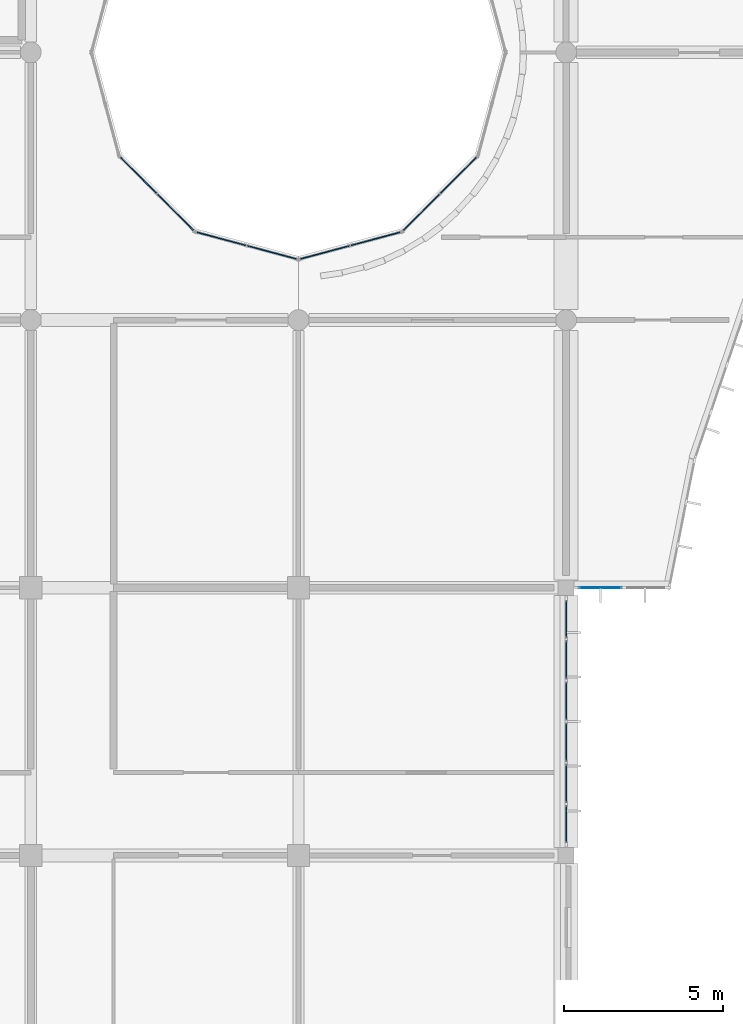
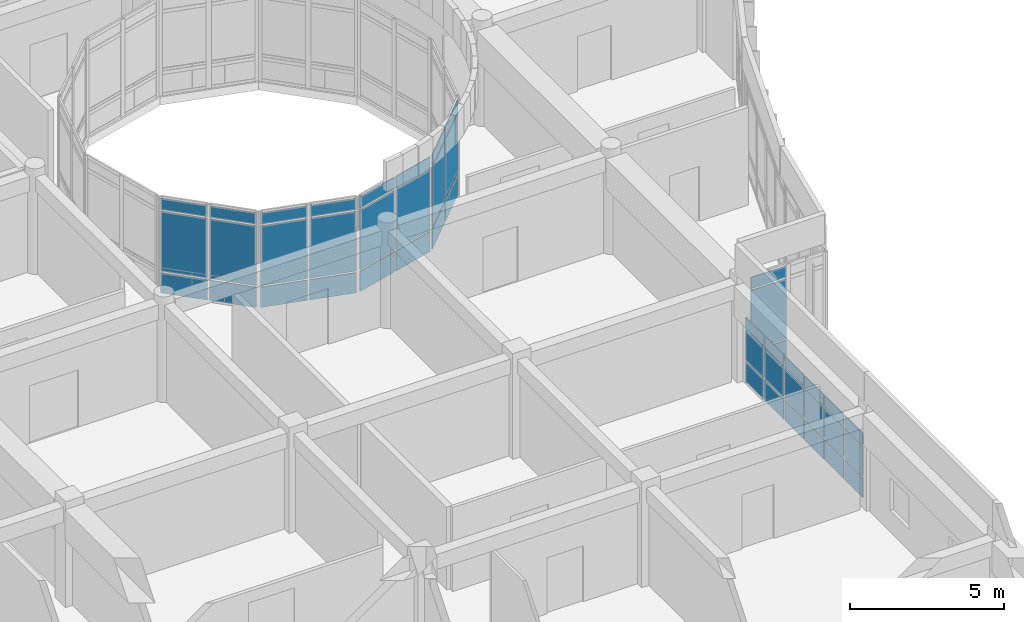
# One storey, part 60 of 119: 45 plates, 6 elements without a shape of their own.
"""IFC4 building model written with IfcOpenShell, lengths in metres."""

from ifc_helpers import new_model, si_unit, direction, frame, origin, origin_2d, place, context, subcontext, project, spatial, rectangle, extrude, material, layer, layer_set, type_object, element, aggregate, save


model = new_model("IFC4")

# Units and contexts
model_context = context("Model", 3, precision=1e-05, world=origin(), true_north=direction((0.0, 1.0)))
body_context = subcontext(model_context, "Body", "Model", "MODEL_VIEW")
ifc_project = project(units=[si_unit("LENGTHUNIT", "METRE"), si_unit("AREAUNIT", "SQUARE_METRE"), si_unit("VOLUMEUNIT", "CUBIC_METRE"), si_unit("PLANEANGLEUNIT", "RADIAN"), si_unit("MASSUNIT", "GRAM", prefix="KILO")], contexts=[model_context])

# Site, building, storey
site_placement = place(None, origin())
site = spatial("IfcSite", under=ifc_project, at=site_placement, CompositionType="ELEMENT")
building_placement = place(site_placement, origin())
building = spatial("IfcBuilding", under=site, at=building_placement, Name="Bramfleet General Hospital", CompositionType="ELEMENT")
storey_placement = place(building_placement, frame((0.0, 0.0, 14.39990234375)))
storey = spatial("IfcBuildingStorey", under=building, at=storey_placement, Name="L03", CompositionType="ELEMENT", Elevation=14.39990234375)

# Curtain wall, plates
ifc_material_1 = material(Name="Anodised aluminium and low-E triple glazing", Category="aluminium")
ifc_layer_1 = layer(ifc_material_1, 0.179931640625, Name="CWT-CW-17")
ifc_layer_set_1 = layer_set([ifc_layer_1], Name="Anodised aluminium and low-E triple glazing")
curtain_wall_type_1 = type_object("IfcCurtainWallType", Name="CWT-CW-17", PredefinedType="USERDEFINED", material=ifc_layer_set_1)
curtain_wall_1_placement = place(storey_placement, origin())
curtain_wall_1 = element("IfcCurtainWall", 1, at=curtain_wall_1_placement, inside=storey, type_object=curtain_wall_type_1, Name="L03 Curtain Wall 161", ObjectType="Stick curtain wall", PredefinedType="USERDEFINED")
ifc_material_2 = material(Name="Low-E laminated safety glass", Category="glass")
ifc_layer_2 = layer(ifc_material_2, 0.028076171875, Name="CWP-GLZ-1")
ifc_layer_set_2 = layer_set([ifc_layer_2], Name="Low-E laminated safety glass")
plate_type_1 = type_object("IfcPlateType", Name="CWP-GLZ-1", PredefinedType="CURTAIN_PANEL", material=ifc_layer_set_2)
plate_1_placement = place(storey_placement, frame((127.070068359375, 50.39990234375, 0.06494140625), z_axis=(0.0, 0.0, 1.0), x_axis=(-1.0, 0.0, 0.0)))
plate_1 = element("IfcPlate", 2, at=plate_1_placement, type_object=plate_type_1, Name="CW-17 panel 2.1", PredefinedType="CURTAIN_PANEL", context=body_context, shape_type="SweptSolid", body=[
    extrude(rectangle(XDim=1.35009765625, YDim=0.028076171875, at=origin_2d()), origin(), (0.0, 0.0, 1.0), 0.802490234375),
])
plate_2_placement = place(storey_placement, frame((127.070068359375, 50.39990234375, 0.9326171875), z_axis=(0.0, 0.0, 1.0), x_axis=(-1.0, 0.0, 0.0)))
plate_2 = element("IfcPlate", 3, at=plate_2_placement, type_object=plate_type_1, Name="CW-17 panel 2.2", PredefinedType="CURTAIN_PANEL", context=body_context, shape_type="SweptSolid", body=[
    extrude(rectangle(XDim=1.35009765625, YDim=0.028076171875, at=origin_2d()), origin(), (0.0, 0.0, 1.0), 2.375),
])
plate_3_placement = place(storey_placement, frame((127.070068359375, 50.39990234375, 3.37255859375), z_axis=(0.0, 0.0, 1.0), x_axis=(-1.0, 0.0, 0.0)))
plate_3 = element("IfcPlate", 4, at=plate_3_placement, type_object=plate_type_1, Name="CW-17 panel 2.3", PredefinedType="CURTAIN_PANEL", context=body_context, shape_type="SweptSolid", body=[
    extrude(rectangle(XDim=1.35009765625, YDim=0.028076171875, at=origin_2d()), origin(), (0.0, 0.0, 1.0), 0.452392578125),
])
aggregate(curtain_wall_1, [plate_1, plate_2, plate_3])

ifc_layer_3 = layer(ifc_material_1, 0.179931640625, Name="CWT-CW-18")
ifc_layer_set_3 = layer_set([ifc_layer_3], Name="Anodised aluminium and low-E triple glazing")
curtain_wall_type_2 = type_object("IfcCurtainWallType", Name="CWT-CW-18", PredefinedType="USERDEFINED", material=ifc_layer_set_3)
curtain_wall_2_placement = place(storey_placement, origin())
curtain_wall_2 = element("IfcCurtainWall", 5, at=curtain_wall_2_placement, inside=storey, type_object=curtain_wall_type_2, Name="L03 Curtain Wall 162", ObjectType="Stick curtain wall", PredefinedType="USERDEFINED")
ifc_layer_4 = layer(ifc_material_2, 0.031982421875, Name="CWP-GLZ-2")
ifc_layer_set_4 = layer_set([ifc_layer_4], Name="Low-E laminated safety glass")
plate_type_2 = type_object("IfcPlateType", Name="CWP-GLZ-2", PredefinedType="CURTAIN_PANEL", material=ifc_layer_set_4)
plate_4_placement = place(storey_placement, frame((126.0, 49.41162109375, 0.06494140625), z_axis=(0.0, 0.0, 1.0), x_axis=(0.0, -1.0, 0.0)))
plate_4 = element("IfcPlate", 6, at=plate_4_placement, type_object=plate_type_2, Name="CW-18 panel 1.1", PredefinedType="CURTAIN_PANEL", context=body_context, shape_type="SweptSolid", body=[
    extrude(rectangle(XDim=1.186767578125, YDim=0.031982421875, at=origin_2d()), origin(), (0.0, 0.0, 1.0), 0.802490234375),
])
plate_5_placement = place(storey_placement, frame((126.0, 49.41162109375, 0.9326171875), z_axis=(0.0, 0.0, 1.0), x_axis=(0.0, -1.0, 0.0)))
plate_5 = element("IfcPlate", 7, at=plate_5_placement, type_object=plate_type_2, Name="CW-18 panel 1.2", PredefinedType="CURTAIN_PANEL", context=body_context, shape_type="SweptSolid", body=[
    extrude(rectangle(XDim=1.186767578125, YDim=0.031982421875, at=origin_2d()), origin(), (0.0, 0.0, 1.0), 1.175048828125),
])
plate_6_placement = place(storey_placement, frame((126.0, 49.41162109375, 2.1728515625), z_axis=(0.0, 0.0, 1.0), x_axis=(0.0, -1.0, 0.0)))
plate_6 = element("IfcPlate", 8, at=plate_6_placement, type_object=plate_type_2, Name="CW-18 panel 1.3", PredefinedType="CURTAIN_PANEL", context=body_context, shape_type="SweptSolid", body=[
    extrude(rectangle(XDim=1.186767578125, YDim=0.031982421875, at=origin_2d()), origin(), (0.0, 0.0, 1.0), 0.452392578125),
])
plate_7_placement = place(storey_placement, frame((126.0, 48.137451171875, 0.06494140625), z_axis=(0.0, 0.0, 1.0), x_axis=(0.0, -1.0, 0.0)))
plate_7 = element("IfcPlate", 9, at=plate_7_placement, type_object=plate_type_2, Name="CW-18 panel 2.1", PredefinedType="CURTAIN_PANEL", context=body_context, shape_type="SweptSolid", body=[
    extrude(rectangle(XDim=1.2216796875, YDim=0.031982421875, at=origin_2d()), origin(), (0.0, 0.0, 1.0), 0.802490234375),
])
plate_8_placement = place(storey_placement, frame((126.0, 48.137451171875, 0.9326171875), z_axis=(0.0, 0.0, 1.0), x_axis=(0.0, -1.0, 0.0)))
plate_8 = element("IfcPlate", 10, at=plate_8_placement, type_object=plate_type_2, Name="CW-18 panel 2.2", PredefinedType="CURTAIN_PANEL", context=body_context, shape_type="SweptSolid", body=[
    extrude(rectangle(XDim=1.2216796875, YDim=0.031982421875, at=origin_2d()), origin(), (0.0, 0.0, 1.0), 1.175048828125),
])
plate_9_placement = place(storey_placement, frame((126.0, 48.137451171875, 2.1728515625), z_axis=(0.0, 0.0, 1.0), x_axis=(0.0, -1.0, 0.0)))
plate_9 = element("IfcPlate", 11, at=plate_9_placement, type_object=plate_type_2, Name="CW-18 panel 2.3", PredefinedType="CURTAIN_PANEL", context=body_context, shape_type="SweptSolid", body=[
    extrude(rectangle(XDim=1.2216796875, YDim=0.031982421875, at=origin_2d()), origin(), (0.0, 0.0, 1.0), 0.452392578125),
])
plate_10_placement = place(storey_placement, frame((126.0, 46.845947265625, 0.06494140625), z_axis=(0.0, 0.0, 1.0), x_axis=(0.0, -1.0, 0.0)))
plate_10 = element("IfcPlate", 12, at=plate_10_placement, type_object=plate_type_2, Name="CW-18 panel 3.1", PredefinedType="CURTAIN_PANEL", context=body_context, shape_type="SweptSolid", body=[
    extrude(rectangle(XDim=1.2216796875, YDim=0.031982421875, at=origin_2d()), origin(), (0.0, 0.0, 1.0), 0.802490234375),
])
plate_11_placement = place(storey_placement, frame((126.0, 46.845947265625, 0.9326171875), z_axis=(0.0, 0.0, 1.0), x_axis=(0.0, -1.0, 0.0)))
plate_11 = element("IfcPlate", 13, at=plate_11_placement, type_object=plate_type_2, Name="CW-18 panel 3.2", PredefinedType="CURTAIN_PANEL", context=body_context, shape_type="SweptSolid", body=[
    extrude(rectangle(XDim=1.2216796875, YDim=0.031982421875, at=origin_2d()), origin(), (0.0, 0.0, 1.0), 1.175048828125),
])
plate_12_placement = place(storey_placement, frame((126.0, 46.845947265625, 2.1728515625), z_axis=(0.0, 0.0, 1.0), x_axis=(0.0, -1.0, 0.0)))
plate_12 = element("IfcPlate", 14, at=plate_12_placement, type_object=plate_type_2, Name="CW-18 panel 3.3", PredefinedType="CURTAIN_PANEL", context=body_context, shape_type="SweptSolid", body=[
    extrude(rectangle(XDim=1.2216796875, YDim=0.031982421875, at=origin_2d()), origin(), (0.0, 0.0, 1.0), 0.452392578125),
])
plate_13_placement = place(storey_placement, frame((126.0, 45.55419921875, 0.06494140625), z_axis=(0.0, 0.0, 1.0), x_axis=(0.0, -1.0, 0.0)))
plate_13 = element("IfcPlate", 15, at=plate_13_placement, type_object=plate_type_2, Name="CW-18 panel 4.1", PredefinedType="CURTAIN_PANEL", context=body_context, shape_type="SweptSolid", body=[
    extrude(rectangle(XDim=1.2216796875, YDim=0.031982421875, at=origin_2d()), origin(), (0.0, 0.0, 1.0), 0.802490234375),
])
plate_14_placement = place(storey_placement, frame((126.0, 45.55419921875, 0.9326171875), z_axis=(0.0, 0.0, 1.0), x_axis=(0.0, -1.0, 0.0)))
plate_14 = element("IfcPlate", 16, at=plate_14_placement, type_object=plate_type_2, Name="CW-18 panel 4.2", PredefinedType="CURTAIN_PANEL", context=body_context, shape_type="SweptSolid", body=[
    extrude(rectangle(XDim=1.2216796875, YDim=0.031982421875, at=origin_2d()), origin(), (0.0, 0.0, 1.0), 1.175048828125),
])
plate_15_placement = place(storey_placement, frame((126.0, 45.55419921875, 2.1728515625), z_axis=(0.0, 0.0, 1.0), x_axis=(0.0, -1.0, 0.0)))
plate_15 = element("IfcPlate", 17, at=plate_15_placement, type_object=plate_type_2, Name="CW-18 panel 4.3", PredefinedType="CURTAIN_PANEL", context=body_context, shape_type="SweptSolid", body=[
    extrude(rectangle(XDim=1.2216796875, YDim=0.031982421875, at=origin_2d()), origin(), (0.0, 0.0, 1.0), 0.452392578125),
])
plate_16_placement = place(storey_placement, frame((126.0, 44.262451171875, 0.06494140625), z_axis=(0.0, 0.0, 1.0), x_axis=(0.0, -1.0, 0.0)))
plate_16 = element("IfcPlate", 18, at=plate_16_placement, type_object=plate_type_2, Name="CW-18 panel 5.1", PredefinedType="CURTAIN_PANEL", context=body_context, shape_type="SweptSolid", body=[
    extrude(rectangle(XDim=1.2216796875, YDim=0.031982421875, at=origin_2d()), origin(), (0.0, 0.0, 1.0), 0.802490234375),
])
plate_17_placement = place(storey_placement, frame((126.0, 44.262451171875, 0.9326171875), z_axis=(0.0, 0.0, 1.0), x_axis=(0.0, -1.0, 0.0)))
plate_17 = element("IfcPlate", 19, at=plate_17_placement, type_object=plate_type_2, Name="CW-18 panel 5.2", PredefinedType="CURTAIN_PANEL", context=body_context, shape_type="SweptSolid", body=[
    extrude(rectangle(XDim=1.2216796875, YDim=0.031982421875, at=origin_2d()), origin(), (0.0, 0.0, 1.0), 1.175048828125),
])
plate_18_placement = place(storey_placement, frame((126.0, 44.262451171875, 2.1728515625), z_axis=(0.0, 0.0, 1.0), x_axis=(0.0, -1.0, 0.0)))
plate_18 = element("IfcPlate", 20, at=plate_18_placement, type_object=plate_type_2, Name="CW-18 panel 5.3", PredefinedType="CURTAIN_PANEL", context=body_context, shape_type="SweptSolid", body=[
    extrude(rectangle(XDim=1.2216796875, YDim=0.031982421875, at=origin_2d()), origin(), (0.0, 0.0, 1.0), 0.452392578125),
])
plate_19_placement = place(storey_placement, frame((126.0, 42.98828125, 0.06494140625), z_axis=(0.0, 0.0, 1.0), x_axis=(0.0, -1.0, 0.0)))
plate_19 = element("IfcPlate", 21, at=plate_19_placement, type_object=plate_type_2, Name="CW-18 panel 6.1", PredefinedType="CURTAIN_PANEL", context=body_context, shape_type="SweptSolid", body=[
    extrude(rectangle(XDim=1.186767578125, YDim=0.031982421875, at=origin_2d()), origin(), (0.0, 0.0, 1.0), 0.802490234375),
])
plate_20_placement = place(storey_placement, frame((126.0, 42.98828125, 0.9326171875), z_axis=(0.0, 0.0, 1.0), x_axis=(0.0, -1.0, 0.0)))
plate_20 = element("IfcPlate", 22, at=plate_20_placement, type_object=plate_type_2, Name="CW-18 panel 6.2", PredefinedType="CURTAIN_PANEL", context=body_context, shape_type="SweptSolid", body=[
    extrude(rectangle(XDim=1.186767578125, YDim=0.031982421875, at=origin_2d()), origin(), (0.0, 0.0, 1.0), 1.175048828125),
])
plate_21_placement = place(storey_placement, frame((126.0, 42.98828125, 2.1728515625), z_axis=(0.0, 0.0, 1.0), x_axis=(0.0, -1.0, 0.0)))
plate_21 = element("IfcPlate", 23, at=plate_21_placement, type_object=plate_type_2, Name="CW-18 panel 6.3", PredefinedType="CURTAIN_PANEL", context=body_context, shape_type="SweptSolid", body=[
    extrude(rectangle(XDim=1.186767578125, YDim=0.031982421875, at=origin_2d()), origin(), (0.0, 0.0, 1.0), 0.452392578125),
])
aggregate(curtain_wall_2, [plate_4, plate_5, plate_6, plate_7, plate_8, plate_9, plate_10, plate_11, plate_12, plate_13, plate_14, plate_15, plate_16, plate_17, plate_18, plate_19, plate_20, plate_21])

curtain_wall_3_placement = place(storey_placement, origin())
curtain_wall_3 = element("IfcCurtainWall", 24, at=curtain_wall_3_placement, inside=storey, type_object=curtain_wall_type_2, Name="L03 East Laboratory Light Court Curtain Wall 2.1", ObjectType="Stick curtain wall", PredefinedType="USERDEFINED")
plate_22_placement = place(storey_placement, frame((112.578125, 63.3427734375, 0.06494140625), z_axis=(0.0, 0.0, 1.0), x_axis=(0.707106781187, -0.707106781187, 0.0)))
plate_22 = element("IfcPlate", 25, at=plate_22_placement, type_object=plate_type_2, Name="CW-18 panel 1.1", PredefinedType="CURTAIN_PANEL", context=body_context, shape_type="SweptSolid", body=[
    extrude(rectangle(XDim=1.5771484375, YDim=0.031982421875, at=origin_2d()), origin(), (0.0, 0.0, 1.0), 0.802490234375),
])
plate_23_placement = place(storey_placement, frame((112.578125, 63.3427734375, 0.9326171875), z_axis=(0.0, 0.0, 1.0), x_axis=(0.707106781187, -0.707106781187, 0.0)))
plate_23 = element("IfcPlate", 26, at=plate_23_placement, type_object=plate_type_2, Name="CW-18 panel 1.2", PredefinedType="CURTAIN_PANEL", context=body_context, shape_type="SweptSolid", body=[
    extrude(rectangle(XDim=1.5771484375, YDim=0.031982421875, at=origin_2d()), origin(), (0.0, 0.0, 1.0), 2.375),
])
plate_24_placement = place(storey_placement, frame((112.578125, 63.3427734375, 3.37255859375), z_axis=(0.0, 0.0, 1.0), x_axis=(0.707106781187, -0.707106781187, 0.0)))
plate_24 = element("IfcPlate", 27, at=plate_24_placement, type_object=plate_type_2, Name="CW-18 panel 1.3", PredefinedType="CURTAIN_PANEL", context=body_context, shape_type="SweptSolid", body=[
    extrude(rectangle(XDim=1.5771484375, YDim=0.031982421875, at=origin_2d()), origin(), (0.0, 0.0, 1.0), 0.452392578125),
])
plate_25_placement = place(storey_placement, frame((113.742919921875, 62.17822265625, 0.06494140625), z_axis=(0.0, 0.0, 1.0), x_axis=(0.707106781187, -0.707106781187, 0.0)))
plate_25 = element("IfcPlate", 28, at=plate_25_placement, type_object=plate_type_2, Name="CW-18 panel 2.1", PredefinedType="CURTAIN_PANEL", context=body_context, shape_type="SweptSolid", body=[
    extrude(rectangle(XDim=1.5771484375, YDim=0.031982421875, at=origin_2d()), origin(), (0.0, 0.0, 1.0), 0.802490234375),
])
plate_26_placement = place(storey_placement, frame((113.742919921875, 62.17822265625, 0.9326171875), z_axis=(0.0, 0.0, 1.0), x_axis=(0.707106781187, -0.707106781187, 0.0)))
plate_26 = element("IfcPlate", 29, at=plate_26_placement, type_object=plate_type_2, Name="CW-18 panel 2.2", PredefinedType="CURTAIN_PANEL", context=body_context, shape_type="SweptSolid", body=[
    extrude(rectangle(XDim=1.5771484375, YDim=0.031982421875, at=origin_2d()), origin(), (0.0, 0.0, 1.0), 2.375),
])
plate_27_placement = place(storey_placement, frame((113.742919921875, 62.17822265625, 3.37255859375), z_axis=(0.0, 0.0, 1.0), x_axis=(0.707106781187, -0.707106781187, 0.0)))
plate_27 = element("IfcPlate", 30, at=plate_27_placement, type_object=plate_type_2, Name="CW-18 panel 2.3", PredefinedType="CURTAIN_PANEL", context=body_context, shape_type="SweptSolid", body=[
    extrude(rectangle(XDim=1.5771484375, YDim=0.031982421875, at=origin_2d()), origin(), (0.0, 0.0, 1.0), 0.452392578125),
])
aggregate(curtain_wall_3, [plate_22, plate_23, plate_24, plate_25, plate_26, plate_27])

ifc_layer_5 = layer(ifc_material_1, 0.179931640625, Name="CWT-CW-11")
ifc_layer_set_5 = layer_set([ifc_layer_5], Name="Anodised aluminium and low-E triple glazing")
curtain_wall_type_3 = type_object("IfcCurtainWallType", Name="CWT-CW-11", PredefinedType="USERDEFINED", material=ifc_layer_set_5)
curtain_wall_4_placement = place(storey_placement, origin())
curtain_wall_4 = element("IfcCurtainWall", 31, at=curtain_wall_4_placement, inside=storey, type_object=curtain_wall_type_3, Name="L03 East Laboratory Light Court Curtain Wall 3.1", ObjectType="Stick curtain wall", PredefinedType="USERDEFINED")
plate_28_placement = place(storey_placement, frame((115.179443359375, 61.3486328125, 0.06494140625), z_axis=(0.0, 0.0, 1.0), x_axis=(0.965913556273, -0.258864833085, 0.0)))
plate_28 = element("IfcPlate", 32, at=plate_28_placement, type_object=plate_type_2, Name="CW-11 panel 1.1", PredefinedType="CURTAIN_PANEL", context=body_context, shape_type="SweptSolid", body=[
    extrude(rectangle(XDim=1.577392578125, YDim=0.031982421875, at=origin_2d()), origin(), (0.0, 0.0, 1.0), 0.802490234375),
])
plate_29_placement = place(storey_placement, frame((115.179443359375, 61.3486328125, 0.9326171875), z_axis=(0.0, 0.0, 1.0), x_axis=(0.965913556273, -0.258864833085, 0.0)))
plate_29 = element("IfcPlate", 33, at=plate_29_placement, type_object=plate_type_2, Name="CW-11 panel 1.2", PredefinedType="CURTAIN_PANEL", context=body_context, shape_type="SweptSolid", body=[
    extrude(rectangle(XDim=1.577392578125, YDim=0.031982421875, at=origin_2d()), origin(), (0.0, 0.0, 1.0), 2.375),
])
plate_30_placement = place(storey_placement, frame((115.179443359375, 61.3486328125, 3.37255859375), z_axis=(0.0, 0.0, 1.0), x_axis=(0.965913556273, -0.258864833085, 0.0)))
plate_30 = element("IfcPlate", 34, at=plate_30_placement, type_object=plate_type_2, Name="CW-11 panel 1.3", PredefinedType="CURTAIN_PANEL", context=body_context, shape_type="SweptSolid", body=[
    extrude(rectangle(XDim=1.577392578125, YDim=0.031982421875, at=origin_2d()), origin(), (0.0, 0.0, 1.0), 0.452392578125),
])
plate_31_placement = place(storey_placement, frame((116.7705078125, 60.92236328125, 0.06494140625), z_axis=(0.0, 0.0, 1.0), x_axis=(0.965913556273, -0.258864833085, 0.0)))
plate_31 = element("IfcPlate", 35, at=plate_31_placement, type_object=plate_type_2, Name="CW-11 panel 2.1", PredefinedType="CURTAIN_PANEL", context=body_context, shape_type="SweptSolid", body=[
    extrude(rectangle(XDim=1.577392578125, YDim=0.031982421875, at=origin_2d()), origin(), (0.0, 0.0, 1.0), 0.802490234375),
])
plate_32_placement = place(storey_placement, frame((116.7705078125, 60.92236328125, 0.9326171875), z_axis=(0.0, 0.0, 1.0), x_axis=(0.965913556273, -0.258864833085, 0.0)))
plate_32 = element("IfcPlate", 36, at=plate_32_placement, type_object=plate_type_2, Name="CW-11 panel 2.2", PredefinedType="CURTAIN_PANEL", context=body_context, shape_type="SweptSolid", body=[
    extrude(rectangle(XDim=1.577392578125, YDim=0.031982421875, at=origin_2d()), origin(), (0.0, 0.0, 1.0), 2.375),
])
plate_33_placement = place(storey_placement, frame((116.7705078125, 60.92236328125, 3.37255859375), z_axis=(0.0, 0.0, 1.0), x_axis=(0.965913556273, -0.258864833085, 0.0)))
plate_33 = element("IfcPlate", 37, at=plate_33_placement, type_object=plate_type_2, Name="CW-11 panel 2.3", PredefinedType="CURTAIN_PANEL", context=body_context, shape_type="SweptSolid", body=[
    extrude(rectangle(XDim=1.577392578125, YDim=0.031982421875, at=origin_2d()), origin(), (0.0, 0.0, 1.0), 0.452392578125),
])
aggregate(curtain_wall_4, [plate_28, plate_29, plate_30, plate_31, plate_32, plate_33])

ifc_layer_6 = layer(ifc_material_1, 0.179931640625, Name="CWT-CW-12")
ifc_layer_set_6 = layer_set([ifc_layer_6], Name="Anodised aluminium and low-E triple glazing")
curtain_wall_type_4 = type_object("IfcCurtainWallType", Name="CWT-CW-12", PredefinedType="USERDEFINED", material=ifc_layer_set_6)
curtain_wall_5_placement = place(storey_placement, origin())
curtain_wall_5 = element("IfcCurtainWall", 38, at=curtain_wall_5_placement, inside=storey, type_object=curtain_wall_type_4, Name="L03 East Laboratory Light Court Curtain Wall 4.1", ObjectType="Stick curtain wall", PredefinedType="USERDEFINED")
plate_34_placement = place(storey_placement, frame((118.429443359375, 60.92236328125, 0.06494140625), z_axis=(0.0, 0.0, 1.0), x_axis=(0.965913556273, 0.258864833085, 0.0)))
plate_34 = element("IfcPlate", 39, at=plate_34_placement, type_object=plate_type_2, Name="CW-12 panel 1.1", PredefinedType="CURTAIN_PANEL", context=body_context, shape_type="SweptSolid", body=[
    extrude(rectangle(XDim=1.577392578125, YDim=0.031982421875, at=origin_2d()), origin(), (0.0, 0.0, 1.0), 0.802490234375),
])
plate_35_placement = place(storey_placement, frame((118.429443359375, 60.92236328125, 0.9326171875), z_axis=(0.0, 0.0, 1.0), x_axis=(0.965913556273, 0.258864833085, 0.0)))
plate_35 = element("IfcPlate", 40, at=plate_35_placement, type_object=plate_type_2, Name="CW-12 panel 1.2", PredefinedType="CURTAIN_PANEL", context=body_context, shape_type="SweptSolid", body=[
    extrude(rectangle(XDim=1.577392578125, YDim=0.031982421875, at=origin_2d()), origin(), (0.0, 0.0, 1.0), 2.375),
])
plate_36_placement = place(storey_placement, frame((118.429443359375, 60.92236328125, 3.37255859375), z_axis=(0.0, 0.0, 1.0), x_axis=(0.965913556273, 0.258864833085, 0.0)))
plate_36 = element("IfcPlate", 41, at=plate_36_placement, type_object=plate_type_2, Name="CW-12 panel 1.3", PredefinedType="CURTAIN_PANEL", context=body_context, shape_type="SweptSolid", body=[
    extrude(rectangle(XDim=1.577392578125, YDim=0.031982421875, at=origin_2d()), origin(), (0.0, 0.0, 1.0), 0.452392578125),
])
plate_37_placement = place(storey_placement, frame((120.0205078125, 61.3486328125, 0.06494140625), z_axis=(0.0, 0.0, 1.0), x_axis=(0.965913556273, 0.258864833085, 0.0)))
plate_37 = element("IfcPlate", 42, at=plate_37_placement, type_object=plate_type_2, Name="CW-12 panel 2.1", PredefinedType="CURTAIN_PANEL", context=body_context, shape_type="SweptSolid", body=[
    extrude(rectangle(XDim=1.577392578125, YDim=0.031982421875, at=origin_2d()), origin(), (0.0, 0.0, 1.0), 0.802490234375),
])
plate_38_placement = place(storey_placement, frame((120.0205078125, 61.3486328125, 0.9326171875), z_axis=(0.0, 0.0, 1.0), x_axis=(0.965913556273, 0.258864833085, 0.0)))
plate_38 = element("IfcPlate", 43, at=plate_38_placement, type_object=plate_type_2, Name="CW-12 panel 2.2", PredefinedType="CURTAIN_PANEL", context=body_context, shape_type="SweptSolid", body=[
    extrude(rectangle(XDim=1.577392578125, YDim=0.031982421875, at=origin_2d()), origin(), (0.0, 0.0, 1.0), 2.375),
])
plate_39_placement = place(storey_placement, frame((120.0205078125, 61.3486328125, 3.37255859375), z_axis=(0.0, 0.0, 1.0), x_axis=(0.965913556273, 0.258864833085, 0.0)))
plate_39 = element("IfcPlate", 44, at=plate_39_placement, type_object=plate_type_2, Name="CW-12 panel 2.3", PredefinedType="CURTAIN_PANEL", context=body_context, shape_type="SweptSolid", body=[
    extrude(rectangle(XDim=1.577392578125, YDim=0.031982421875, at=origin_2d()), origin(), (0.0, 0.0, 1.0), 0.452392578125),
])
aggregate(curtain_wall_5, [plate_34, plate_35, plate_36, plate_37, plate_38, plate_39])

ifc_layer_7 = layer(ifc_material_1, 0.179931640625, Name="CWT-CW-13")
ifc_layer_set_7 = layer_set([ifc_layer_7], Name="Anodised aluminium and low-E triple glazing")
curtain_wall_type_5 = type_object("IfcCurtainWallType", Name="CWT-CW-13", PredefinedType="USERDEFINED", material=ifc_layer_set_7)
curtain_wall_6_placement = place(storey_placement, origin())
curtain_wall_6 = element("IfcCurtainWall", 45, at=curtain_wall_6_placement, inside=storey, type_object=curtain_wall_type_5, Name="L03 East Laboratory Light Court Curtain Wall 5.1", ObjectType="Stick curtain wall", PredefinedType="USERDEFINED")
plate_40_placement = place(storey_placement, frame((121.45703125, 62.17822265625, 0.06494140625), z_axis=(0.0, 0.0, 1.0), x_axis=(0.707106781187, 0.707106781187, 0.0)))
plate_40 = element("IfcPlate", 46, at=plate_40_placement, type_object=plate_type_2, Name="CW-13 panel 1.1", PredefinedType="CURTAIN_PANEL", context=body_context, shape_type="SweptSolid", body=[
    extrude(rectangle(XDim=1.5771484375, YDim=0.031982421875, at=origin_2d()), origin(), (0.0, 0.0, 1.0), 0.802490234375),
])
plate_41_placement = place(storey_placement, frame((121.45703125, 62.17822265625, 0.9326171875), z_axis=(0.0, 0.0, 1.0), x_axis=(0.707106781187, 0.707106781187, 0.0)))
plate_41 = element("IfcPlate", 47, at=plate_41_placement, type_object=plate_type_2, Name="CW-13 panel 1.2", PredefinedType="CURTAIN_PANEL", context=body_context, shape_type="SweptSolid", body=[
    extrude(rectangle(XDim=1.5771484375, YDim=0.031982421875, at=origin_2d()), origin(), (0.0, 0.0, 1.0), 2.375),
])
plate_42_placement = place(storey_placement, frame((121.45703125, 62.17822265625, 3.37255859375), z_axis=(0.0, 0.0, 1.0), x_axis=(0.707106781187, 0.707106781187, 0.0)))
plate_42 = element("IfcPlate", 48, at=plate_42_placement, type_object=plate_type_2, Name="CW-13 panel 1.3", PredefinedType="CURTAIN_PANEL", context=body_context, shape_type="SweptSolid", body=[
    extrude(rectangle(XDim=1.5771484375, YDim=0.031982421875, at=origin_2d()), origin(), (0.0, 0.0, 1.0), 0.452392578125),
])
plate_43_placement = place(storey_placement, frame((122.621826171875, 63.3427734375, 0.06494140625), z_axis=(0.0, 0.0, 1.0), x_axis=(0.707106781187, 0.707106781187, 0.0)))
plate_43 = element("IfcPlate", 49, at=plate_43_placement, type_object=plate_type_2, Name="CW-13 panel 2.1", PredefinedType="CURTAIN_PANEL", context=body_context, shape_type="SweptSolid", body=[
    extrude(rectangle(XDim=1.5771484375, YDim=0.031982421875, at=origin_2d()), origin(), (0.0, 0.0, 1.0), 0.802490234375),
])
plate_44_placement = place(storey_placement, frame((122.621826171875, 63.3427734375, 0.9326171875), z_axis=(0.0, 0.0, 1.0), x_axis=(0.707106781187, 0.707106781187, 0.0)))
plate_44 = element("IfcPlate", 50, at=plate_44_placement, type_object=plate_type_2, Name="CW-13 panel 2.2", PredefinedType="CURTAIN_PANEL", context=body_context, shape_type="SweptSolid", body=[
    extrude(rectangle(XDim=1.5771484375, YDim=0.031982421875, at=origin_2d()), origin(), (0.0, 0.0, 1.0), 2.375),
])
plate_45_placement = place(storey_placement, frame((122.621826171875, 63.3427734375, 3.37255859375), z_axis=(0.0, 0.0, 1.0), x_axis=(0.707106781187, 0.707106781187, 0.0)))
plate_45 = element("IfcPlate", 51, at=plate_45_placement, type_object=plate_type_2, Name="CW-13 panel 2.3", PredefinedType="CURTAIN_PANEL", context=body_context, shape_type="SweptSolid", body=[
    extrude(rectangle(XDim=1.5771484375, YDim=0.031982421875, at=origin_2d()), origin(), (0.0, 0.0, 1.0), 0.452392578125),
])
aggregate(curtain_wall_6, [plate_40, plate_41, plate_42, plate_43, plate_44, plate_45])

save(model, "model.ifc")
